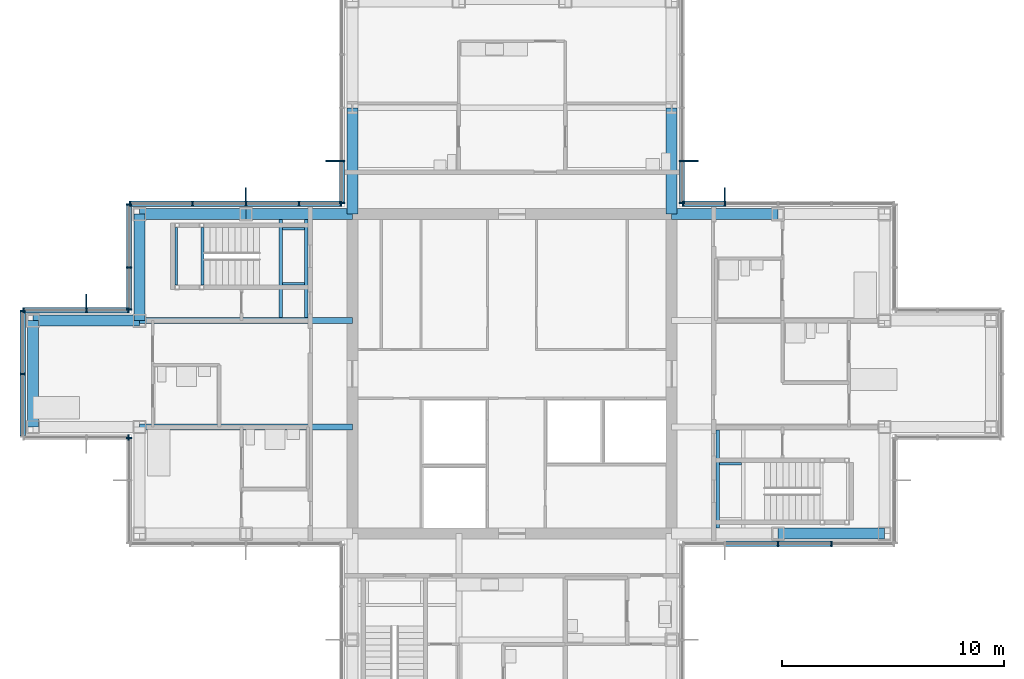
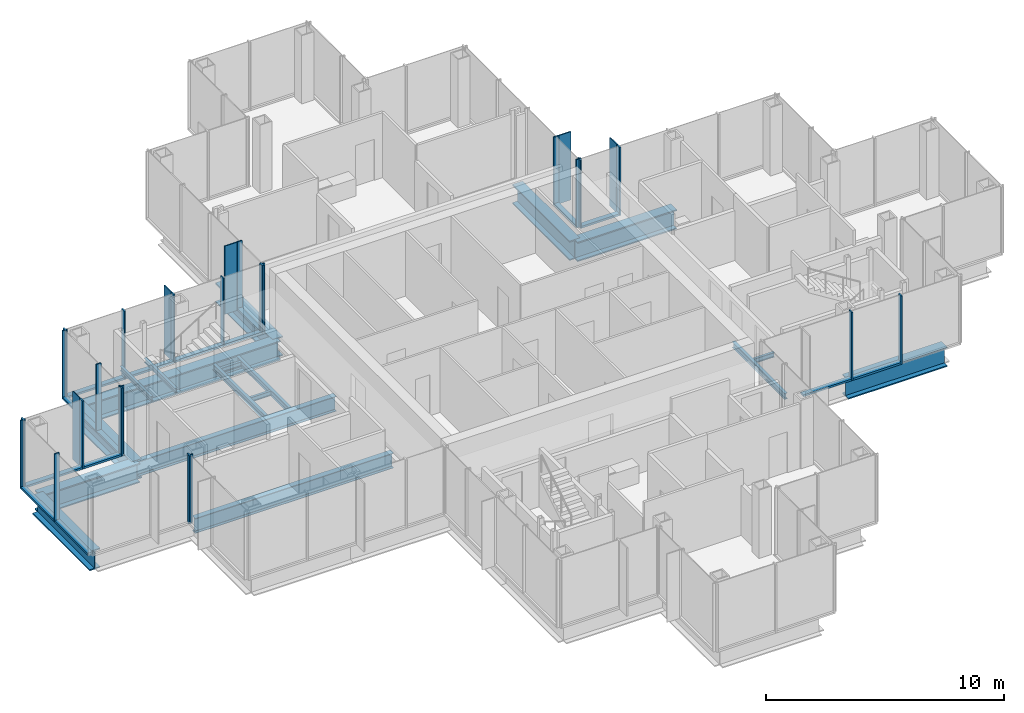
# One storey, part 7 of 17: 43 members, 19 beams, 10 elements without a shape of their own.
"""IFC4 building model written with IfcOpenShell, lengths in metres."""

from ifc_helpers import new_model, si_unit, direction, frame, origin, origin_2d, place, context, subcontext, project, spatial, rectangle, i_section, extrude, material, material_profile, profile_set, type_object, element, aggregate, save


model = new_model("IFC4")

# Units and contexts
model_context = context("Model", 3, precision=1e-05, world=origin(), true_north=direction((0.0, 1.0)))
body_context = subcontext(model_context, "Body", "Model", "MODEL_VIEW")
ifc_project = project(units=[si_unit("LENGTHUNIT", "METRE"), si_unit("AREAUNIT", "SQUARE_METRE"), si_unit("VOLUMEUNIT", "CUBIC_METRE"), si_unit("PLANEANGLEUNIT", "RADIAN"), si_unit("MASSUNIT", "GRAM", prefix="KILO")], contexts=[model_context])

# Site, building, storey
site_placement = place(None, origin())
site = spatial("IfcSite", under=ifc_project, at=site_placement, CompositionType="ELEMENT")
building_placement = place(site_placement, origin())
building = spatial("IfcBuilding", under=site, at=building_placement, Name="Kvirike Care Tower", CompositionType="ELEMENT")
storey_placement = place(building_placement, frame((0.0, 0.0, 162.0)))
storey = spatial("IfcBuildingStorey", under=building, at=storey_placement, Name="L44", CompositionType="ELEMENT", Elevation=162.0)

# Curtain wall, member
ifc_material_1 = material(Name="Anodised aluminium stick system", Category="aluminium")
curtain_wall_type = type_object("IfcCurtainWallType", Name="CW-C STICK CURTAIN WALL", PredefinedType="NOTDEFINED", material=ifc_material_1)
curtain_wall_1_placement = place(storey_placement, origin())
curtain_wall_1 = element("IfcCurtainWall", 1, at=curtain_wall_1_placement, inside=storey, type_object=curtain_wall_type, Name="Curtain wall L44 face 7", PredefinedType="NOTDEFINED")
ifc_material_2 = material(Name="Bronze anodised aluminium fin", Category="aluminium")
ifc_material_profile_1 = material_profile(ifc_material_2, rectangle(XDim=0.050048828125, YDim=0.60009765625, at=origin_2d()), Name="BRONZE FIN 600")
ifc_profile_set_1 = profile_set([ifc_material_profile_1], Name="Bronze anodised aluminium fin")
member_type_1 = type_object("IfcMemberType", Name="BRONZE FIN 600", PredefinedType="USERDEFINED", material=ifc_profile_set_1)
member_1_placement = place(storey_placement, frame((31.199951171875, 44.090087890625, 0.0), z_axis=(0.0, 0.0, 1.0), x_axis=(-1.0, 0.0, 0.0)))
member_1 = element("IfcMember", 2, at=member_1_placement, type_object=member_type_1, Name="Bronze fin L44 face 7.4", ObjectType="FIN", PredefinedType="USERDEFINED", context=body_context, shape_type="SweptSolid", body=[
    extrude(rectangle(XDim=0.050048828125, YDim=0.60009765625, at=origin_2d()), origin(), (0.0, 0.0, 1.0), 3.5),
])

curtain_wall_2_placement = place(storey_placement, origin())
curtain_wall_2 = element("IfcCurtainWall", 3, at=curtain_wall_2_placement, inside=storey, type_object=curtain_wall_type, Name="Curtain wall L44 face 8", PredefinedType="NOTDEFINED")
member_2_placement = place(storey_placement, frame((29.68994140625, 45.60009765625, 0.0), z_axis=(0.0, 0.0, 1.0), x_axis=(0.0, 1.0, 0.0)))
member_2 = element("IfcMember", 4, at=member_2_placement, type_object=member_type_1, Name="Bronze fin L44 face 8.2", ObjectType="FIN", PredefinedType="USERDEFINED", context=body_context, shape_type="SweptSolid", body=[
    extrude(rectangle(XDim=0.050048828125, YDim=0.60009765625, at=origin_2d()), origin(), (0.0, 0.0, 1.0), 3.5),
])

curtain_wall_3_placement = place(storey_placement, origin())
curtain_wall_3 = element("IfcCurtainWall", 5, at=curtain_wall_3_placement, inside=storey, type_object=curtain_wall_type, Name="Curtain wall L44 face 14", PredefinedType="NOTDEFINED")
member_3_placement = place(storey_placement, frame((13.510009765625, 45.60009765625, 0.0), z_axis=(0.0, 0.0, 1.0), x_axis=(0.0, -1.0, 0.0)))
member_3 = element("IfcMember", 6, at=member_3_placement, type_object=member_type_1, Name="Bronze fin L44 face 14.4", ObjectType="FIN", PredefinedType="USERDEFINED", context=body_context, shape_type="SweptSolid", body=[
    extrude(rectangle(XDim=0.050048828125, YDim=0.60009765625, at=origin_2d()), origin(), (0.0, 0.0, 1.0), 3.5),
])

curtain_wall_4_placement = place(storey_placement, origin())
curtain_wall_4 = element("IfcCurtainWall", 7, at=curtain_wall_4_placement, inside=storey, type_object=curtain_wall_type, Name="Curtain wall L44 face 15", PredefinedType="NOTDEFINED")
member_4_placement = place(storey_placement, frame((9.60009765625, 44.090087890625, 0.0), z_axis=(0.0, 0.0, 1.0), x_axis=(-1.0, 0.0, 0.0)))
member_4 = element("IfcMember", 8, at=member_4_placement, type_object=member_type_1, Name="Bronze fin L44 face 15.3", ObjectType="FIN", PredefinedType="USERDEFINED", context=body_context, shape_type="SweptSolid", body=[
    extrude(rectangle(XDim=0.050048828125, YDim=0.60009765625, at=origin_2d()), origin(), (0.0, 0.0, 1.0), 3.5),
])

curtain_wall_5_placement = place(storey_placement, origin())
curtain_wall_5 = element("IfcCurtainWall", 9, at=curtain_wall_5_placement, inside=storey, type_object=curtain_wall_type, Name="Curtain wall L44 face 17", PredefinedType="NOTDEFINED")
member_5_placement = place(storey_placement, frame((2.39990234375, 39.2900390625, 0.0), z_axis=(0.0, 0.0, 1.0), x_axis=(-1.0, 0.0, 0.0)))
member_5 = element("IfcMember", 10, at=member_5_placement, type_object=member_type_1, Name="Bronze fin L44 face 17.2", ObjectType="FIN", PredefinedType="USERDEFINED", context=body_context, shape_type="SweptSolid", body=[
    extrude(rectangle(XDim=0.050048828125, YDim=0.60009765625, at=origin_2d()), origin(), (0.0, 0.0, 1.0), 3.5),
])

# Curtain wall, members
curtain_wall_6_placement = place(storey_placement, origin())
curtain_wall_6 = element("IfcCurtainWall", 11, at=curtain_wall_6_placement, inside=storey, type_object=curtain_wall_type, Name="Curtain wall L44 face 1", PredefinedType="NOTDEFINED")
ifc_material_3 = material(Name="Bronze anodised aluminium mullion", Category="aluminium")
ifc_material_profile_2 = material_profile(ifc_material_3, rectangle(XDim=0.06494140625, YDim=0.239990234375, at=origin_2d()), Name="CW-C MULLION 65x240")
ifc_profile_set_2 = profile_set([ifc_material_profile_2], Name="Bronze anodised aluminium mullion")
member_type_2 = type_object("IfcMemberType", Name="CW-C MULLION 65x240", PredefinedType="MULLION", material=ifc_profile_set_2)
member_6_placement = place(storey_placement, frame((33.60009765625, 28.330078125, 0.0), z_axis=(0.0, 0.0, 1.0), x_axis=(1.0, 0.0, 0.0)))
member_6 = element("IfcMember", 12, at=member_6_placement, type_object=member_type_2, Name="CW-C mullion L44 face 1.3", PredefinedType="MULLION", context=body_context, shape_type="SweptSolid", body=[
    extrude(rectangle(XDim=0.06494140625, YDim=0.239990234375, at=origin_2d()), origin(), (0.0, 0.0, 1.0), 3.5),
])
member_7_placement = place(storey_placement, frame((36.0, 28.330078125, 0.0), z_axis=(0.0, 0.0, 1.0), x_axis=(1.0, 0.0, 0.0)))
member_7 = element("IfcMember", 13, at=member_7_placement, type_object=member_type_2, Name="CW-C mullion L44 face 1.4", PredefinedType="MULLION", context=body_context, shape_type="SweptSolid", body=[
    extrude(rectangle(XDim=0.06494140625, YDim=0.239990234375, at=origin_2d()), origin(), (0.0, 0.0, 1.0), 3.5),
])

# Member
member_8_placement = place(storey_placement, frame((31.199951171875, 43.669921875, 0.0), z_axis=(0.0, 0.0, 1.0), x_axis=(-1.0, 0.0, 0.0)))
member_8 = element("IfcMember", 14, at=member_8_placement, type_object=member_type_2, Name="CW-C mullion L44 face 7.4", PredefinedType="MULLION", context=body_context, shape_type="SweptSolid", body=[
    extrude(rectangle(XDim=0.06494140625, YDim=0.239990234375, at=origin_2d()), origin(), (0.0, 0.0, 1.0), 3.5),
])

member_9_placement = place(storey_placement, frame((29.302490234375, 43.669921875, 0.0), z_axis=(0.0, 0.0, 1.0), x_axis=(-1.0, 0.0, 0.0)))
member_9 = element("IfcMember", 15, at=member_9_placement, type_object=member_type_2, Name="CW-C mullion L44 face 7.5", PredefinedType="MULLION", context=body_context, shape_type="SweptSolid", body=[
    extrude(rectangle(XDim=0.06494140625, YDim=0.239990234375, at=origin_2d()), origin(), (0.0, 0.0, 1.0), 3.5),
])

member_10_placement = place(storey_placement, frame((29.27001953125, 43.702392578125, 0.0), z_axis=(0.0, 0.0, 1.0), x_axis=(0.0, 1.0, 0.0)))
member_10 = element("IfcMember", 16, at=member_10_placement, type_object=member_type_2, Name="CW-C mullion L44 face 8.1", PredefinedType="MULLION", context=body_context, shape_type="SweptSolid", body=[
    extrude(rectangle(XDim=0.06494140625, YDim=0.239990234375, at=origin_2d()), origin(), (0.0, 0.0, 1.0), 3.5),
])

member_11_placement = place(storey_placement, frame((29.27001953125, 45.60009765625, 0.0), z_axis=(0.0, 0.0, 1.0), x_axis=(0.0, 1.0, 0.0)))
member_11 = element("IfcMember", 17, at=member_11_placement, type_object=member_type_2, Name="CW-C mullion L44 face 8.2", PredefinedType="MULLION", context=body_context, shape_type="SweptSolid", body=[
    extrude(rectangle(XDim=0.06494140625, YDim=0.239990234375, at=origin_2d()), origin(), (0.0, 0.0, 1.0), 3.5),
])

member_12_placement = place(storey_placement, frame((13.929931640625, 45.60009765625, 0.0), z_axis=(0.0, 0.0, 1.0), x_axis=(0.0, -1.0, 0.0)))
member_12 = element("IfcMember", 18, at=member_12_placement, type_object=member_type_2, Name="CW-C mullion L44 face 14.4", PredefinedType="MULLION", context=body_context, shape_type="SweptSolid", body=[
    extrude(rectangle(XDim=0.06494140625, YDim=0.239990234375, at=origin_2d()), origin(), (0.0, 0.0, 1.0), 3.5),
])

member_13_placement = place(storey_placement, frame((13.929931640625, 43.702392578125, 0.0), z_axis=(0.0, 0.0, 1.0), x_axis=(0.0, -1.0, 0.0)))
member_13 = element("IfcMember", 19, at=member_13_placement, type_object=member_type_2, Name="CW-C mullion L44 face 14.5", PredefinedType="MULLION", context=body_context, shape_type="SweptSolid", body=[
    extrude(rectangle(XDim=0.06494140625, YDim=0.239990234375, at=origin_2d()), origin(), (0.0, 0.0, 1.0), 3.5),
])

member_14_placement = place(storey_placement, frame((13.8974609375, 43.669921875, 0.0), z_axis=(0.0, 0.0, 1.0), x_axis=(-1.0, 0.0, 0.0)))
member_14 = element("IfcMember", 20, at=member_14_placement, type_object=member_type_2, Name="CW-C mullion L44 face 15.1", PredefinedType="MULLION", context=body_context, shape_type="SweptSolid", body=[
    extrude(rectangle(XDim=0.06494140625, YDim=0.239990234375, at=origin_2d()), origin(), (0.0, 0.0, 1.0), 3.5),
])

member_15_placement = place(storey_placement, frame((12.0, 43.669921875, 0.0), z_axis=(0.0, 0.0, 1.0), x_axis=(-1.0, 0.0, 0.0)))
member_15 = element("IfcMember", 21, at=member_15_placement, type_object=member_type_2, Name="CW-C mullion L44 face 15.2", PredefinedType="MULLION", context=body_context, shape_type="SweptSolid", body=[
    extrude(rectangle(XDim=0.06494140625, YDim=0.239990234375, at=origin_2d()), origin(), (0.0, 0.0, 1.0), 3.5),
])

member_16_placement = place(storey_placement, frame((9.60009765625, 43.669921875, 0.0), z_axis=(0.0, 0.0, 1.0), x_axis=(-1.0, 0.0, 0.0)))
member_16 = element("IfcMember", 22, at=member_16_placement, type_object=member_type_2, Name="CW-C mullion L44 face 15.3", PredefinedType="MULLION", context=body_context, shape_type="SweptSolid", body=[
    extrude(rectangle(XDim=0.06494140625, YDim=0.239990234375, at=origin_2d()), origin(), (0.0, 0.0, 1.0), 3.5),
])

member_17_placement = place(storey_placement, frame((7.199951171875, 43.669921875, 0.0), z_axis=(0.0, 0.0, 1.0), x_axis=(-1.0, 0.0, 0.0)))
member_17 = element("IfcMember", 23, at=member_17_placement, type_object=member_type_2, Name="CW-C mullion L44 face 15.4", PredefinedType="MULLION", context=body_context, shape_type="SweptSolid", body=[
    extrude(rectangle(XDim=0.06494140625, YDim=0.239990234375, at=origin_2d()), origin(), (0.0, 0.0, 1.0), 3.5),
])

member_18_placement = place(storey_placement, frame((4.362548828125, 43.669921875, 0.0), z_axis=(0.0, 0.0, 1.0), x_axis=(-1.0, 0.0, 0.0)))
member_18 = element("IfcMember", 24, at=member_18_placement, type_object=member_type_2, Name="CW-C mullion L44 face 15.5", PredefinedType="MULLION", context=body_context, shape_type="SweptSolid", body=[
    extrude(rectangle(XDim=0.06494140625, YDim=0.239990234375, at=origin_2d()), origin(), (0.0, 0.0, 1.0), 3.5),
])

# Curtain wall, members
curtain_wall_7_placement = place(storey_placement, origin())
curtain_wall_7 = element("IfcCurtainWall", 25, at=curtain_wall_7_placement, inside=storey, type_object=curtain_wall_type, Name="Curtain wall L44 face 16", PredefinedType="NOTDEFINED")
member_19_placement = place(storey_placement, frame((4.330078125, 43.637451171875, 0.0), z_axis=(0.0, 0.0, 1.0), x_axis=(0.0, -1.0, 0.0)))
member_19 = element("IfcMember", 26, at=member_19_placement, type_object=member_type_2, Name="CW-C mullion L44 face 16.1", PredefinedType="MULLION", context=body_context, shape_type="SweptSolid", body=[
    extrude(rectangle(XDim=0.06494140625, YDim=0.239990234375, at=origin_2d()), origin(), (0.0, 0.0, 1.0), 3.5),
])
member_20_placement = place(storey_placement, frame((4.330078125, 40.800048828125, 0.0), z_axis=(0.0, 0.0, 1.0), x_axis=(0.0, -1.0, 0.0)))
member_20 = element("IfcMember", 27, at=member_20_placement, type_object=member_type_2, Name="CW-C mullion L44 face 16.2", PredefinedType="MULLION", context=body_context, shape_type="SweptSolid", body=[
    extrude(rectangle(XDim=0.06494140625, YDim=0.239990234375, at=origin_2d()), origin(), (0.0, 0.0, 1.0), 3.5),
])
member_21_placement = place(storey_placement, frame((4.330078125, 38.902587890625, 0.0), z_axis=(0.0, 0.0, 1.0), x_axis=(0.0, -1.0, 0.0)))
member_21 = element("IfcMember", 28, at=member_21_placement, type_object=member_type_2, Name="CW-C mullion L44 face 16.3", PredefinedType="MULLION", context=body_context, shape_type="SweptSolid", body=[
    extrude(rectangle(XDim=0.06494140625, YDim=0.239990234375, at=origin_2d()), origin(), (0.0, 0.0, 1.0), 3.5),
])

# Member
member_22_placement = place(storey_placement, frame((4.297607421875, 38.8701171875, 0.0), z_axis=(0.0, 0.0, 1.0), x_axis=(-1.0, 0.0, 0.0)))
member_22 = element("IfcMember", 29, at=member_22_placement, type_object=member_type_2, Name="CW-C mullion L44 face 17.1", PredefinedType="MULLION", context=body_context, shape_type="SweptSolid", body=[
    extrude(rectangle(XDim=0.06494140625, YDim=0.239990234375, at=origin_2d()), origin(), (0.0, 0.0, 1.0), 3.5),
])

member_23_placement = place(storey_placement, frame((2.39990234375, 38.8701171875, 0.0), z_axis=(0.0, 0.0, 1.0), x_axis=(-1.0, 0.0, 0.0)))
member_23 = element("IfcMember", 30, at=member_23_placement, type_object=member_type_2, Name="CW-C mullion L44 face 17.2", PredefinedType="MULLION", context=body_context, shape_type="SweptSolid", body=[
    extrude(rectangle(XDim=0.06494140625, YDim=0.239990234375, at=origin_2d()), origin(), (0.0, 0.0, 1.0), 3.5),
])

member_24_placement = place(storey_placement, frame((-0.4375, 38.8701171875, 0.0), z_axis=(0.0, 0.0, 1.0), x_axis=(-1.0, 0.0, 0.0)))
member_24 = element("IfcMember", 31, at=member_24_placement, type_object=member_type_2, Name="CW-C mullion L44 face 17.3", PredefinedType="MULLION", context=body_context, shape_type="SweptSolid", body=[
    extrude(rectangle(XDim=0.06494140625, YDim=0.239990234375, at=origin_2d()), origin(), (0.0, 0.0, 1.0), 3.5),
])

# Curtain wall, members
curtain_wall_8_placement = place(storey_placement, origin())
curtain_wall_8 = element("IfcCurtainWall", 32, at=curtain_wall_8_placement, inside=storey, type_object=curtain_wall_type, Name="Curtain wall L44 face 18", PredefinedType="NOTDEFINED")
member_25_placement = place(storey_placement, frame((-0.469970703125, 38.83740234375, 0.0), z_axis=(0.0, 0.0, 1.0), x_axis=(0.0, -1.0, 0.0)))
member_25 = element("IfcMember", 33, at=member_25_placement, type_object=member_type_2, Name="CW-C mullion L44 face 18.1", PredefinedType="MULLION", context=body_context, shape_type="SweptSolid", body=[
    extrude(rectangle(XDim=0.06494140625, YDim=0.239990234375, at=origin_2d()), origin(), (0.0, 0.0, 1.0), 3.5),
])
member_26_placement = place(storey_placement, frame((-0.469970703125, 36.0, 0.0), z_axis=(0.0, 0.0, 1.0), x_axis=(0.0, -1.0, 0.0)))
member_26 = element("IfcMember", 34, at=member_26_placement, type_object=member_type_2, Name="CW-C mullion L44 face 18.2", PredefinedType="MULLION", context=body_context, shape_type="SweptSolid", body=[
    extrude(rectangle(XDim=0.06494140625, YDim=0.239990234375, at=origin_2d()), origin(), (0.0, 0.0, 1.0), 3.5),
])

# Curtain wall, member
curtain_wall_9_placement = place(storey_placement, origin())
curtain_wall_9 = element("IfcCurtainWall", 35, at=curtain_wall_9_placement, inside=storey, type_object=curtain_wall_type, Name="Curtain wall L44 face 19", PredefinedType="NOTDEFINED")
member_27_placement = place(storey_placement, frame((4.297607421875, 33.1298828125, 0.0), z_axis=(0.0, 0.0, 1.0), x_axis=(1.0, 0.0, 0.0)))
member_27 = element("IfcMember", 36, at=member_27_placement, type_object=member_type_2, Name="CW-C mullion L44 face 19.3", PredefinedType="MULLION", context=body_context, shape_type="SweptSolid", body=[
    extrude(rectangle(XDim=0.06494140625, YDim=0.239990234375, at=origin_2d()), origin(), (0.0, 0.0, 1.0), 3.5),
])
aggregate(curtain_wall_9, [member_27])

curtain_wall_10_placement = place(storey_placement, origin())
curtain_wall_10 = element("IfcCurtainWall", 37, at=curtain_wall_10_placement, inside=storey, type_object=curtain_wall_type, Name="Curtain wall L44 face 20", PredefinedType="NOTDEFINED")
member_28_placement = place(storey_placement, frame((4.330078125, 33.097412109375, 0.0), z_axis=(0.0, 0.0, 1.0), x_axis=(0.0, -1.0, 0.0)))
member_28 = element("IfcMember", 38, at=member_28_placement, type_object=member_type_2, Name="CW-C mullion L44 face 20.1", PredefinedType="MULLION", context=body_context, shape_type="SweptSolid", body=[
    extrude(rectangle(XDim=0.06494140625, YDim=0.239990234375, at=origin_2d()), origin(), (0.0, 0.0, 1.0), 3.5),
])
aggregate(curtain_wall_10, [member_28])

# Member
ifc_material_4 = material(Name="Bronze anodised aluminium transom", Category="aluminium")
ifc_material_profile_3 = material_profile(ifc_material_4, rectangle(XDim=0.239990234375, YDim=0.10009765625, at=origin_2d()), Name="CW-C TRANSOM 240x100")
ifc_profile_set_3 = profile_set([ifc_material_profile_3], Name="Bronze anodised aluminium transom")
member_type_3 = type_object("IfcMemberType", Name="CW-C TRANSOM 240x100", PredefinedType="USERDEFINED", material=ifc_profile_set_3)
member_29_placement = place(storey_placement, frame((31.232421875, 28.330078125, 0.050048828125), z_axis=(1.0, 0.0, 0.0), x_axis=(0.0, 1.0, 0.0)))
member_29 = element("IfcMember", 39, at=member_29_placement, type_object=member_type_3, Name="CW-C sill transom L44 face 1.2", ObjectType="TRANSOM", PredefinedType="USERDEFINED", context=body_context, shape_type="SweptSolid", body=[
    extrude(rectangle(XDim=0.239990234375, YDim=0.10009765625, at=origin_2d()), origin(), (0.0, 0.0, 1.0), 2.3349609375),
])

member_30_placement = place(storey_placement, frame((33.632568359375, 28.330078125, 0.050048828125), z_axis=(1.0, 0.0, 0.0), x_axis=(0.0, 1.0, 0.0)))
member_30 = element("IfcMember", 40, at=member_30_placement, type_object=member_type_3, Name="CW-C sill transom L44 face 1.3", ObjectType="TRANSOM", PredefinedType="USERDEFINED", context=body_context, shape_type="SweptSolid", body=[
    extrude(rectangle(XDim=0.239990234375, YDim=0.10009765625, at=origin_2d()), origin(), (0.0, 0.0, 1.0), 2.3349609375),
])

aggregate(curtain_wall_6, [member_6, member_7, member_29, member_30])

member_31_placement = place(storey_placement, frame((31.16748046875, 43.669921875, 0.050048828125), z_axis=(-1.0, 0.0, 0.0), x_axis=(0.0, -1.0, 0.0)))
member_31 = element("IfcMember", 41, at=member_31_placement, type_object=member_type_3, Name="CW-C sill transom L44 face 7.4", ObjectType="TRANSOM", PredefinedType="USERDEFINED", context=body_context, shape_type="SweptSolid", body=[
    extrude(rectangle(XDim=0.239990234375, YDim=0.10009765625, at=origin_2d()), origin(), (0.0, 0.0, 1.0), 1.83251953125),
])

aggregate(curtain_wall_1, [member_8, member_1, member_9, member_31])

member_32_placement = place(storey_placement, frame((29.27001953125, 43.735107421875, 0.050048828125), z_axis=(0.0, 1.0, 0.0), x_axis=(-1.0, 0.0, 0.0)))
member_32 = element("IfcMember", 42, at=member_32_placement, type_object=member_type_3, Name="CW-C sill transom L44 face 8.1", ObjectType="TRANSOM", PredefinedType="USERDEFINED", context=body_context, shape_type="SweptSolid", body=[
    extrude(rectangle(XDim=0.239990234375, YDim=0.10009765625, at=origin_2d()), origin(), (0.0, 0.0, 1.0), 1.832275390625),
])

aggregate(curtain_wall_2, [member_10, member_11, member_2, member_32])

member_33_placement = place(storey_placement, frame((13.929931640625, 45.5673828125, 0.050048828125), z_axis=(0.0, -1.0, 0.0), x_axis=(1.0, 0.0, 0.0)))
member_33 = element("IfcMember", 43, at=member_33_placement, type_object=member_type_3, Name="CW-C sill transom L44 face 14.4", ObjectType="TRANSOM", PredefinedType="USERDEFINED", context=body_context, shape_type="SweptSolid", body=[
    extrude(rectangle(XDim=0.239990234375, YDim=0.10009765625, at=origin_2d()), origin(), (0.0, 0.0, 1.0), 1.832275390625),
])

aggregate(curtain_wall_3, [member_12, member_3, member_13, member_33])

member_34_placement = place(storey_placement, frame((13.864990234375, 43.669921875, 0.050048828125), z_axis=(-1.0, 0.0, 0.0), x_axis=(0.0, -1.0, 0.0)))
member_34 = element("IfcMember", 44, at=member_34_placement, type_object=member_type_3, Name="CW-C sill transom L44 face 15.1", ObjectType="TRANSOM", PredefinedType="USERDEFINED", context=body_context, shape_type="SweptSolid", body=[
    extrude(rectangle(XDim=0.239990234375, YDim=0.10009765625, at=origin_2d()), origin(), (0.0, 0.0, 1.0), 1.83251953125),
])

member_35_placement = place(storey_placement, frame((11.967529296875, 43.669921875, 0.050048828125), z_axis=(-1.0, 0.0, 0.0), x_axis=(0.0, -1.0, 0.0)))
member_35 = element("IfcMember", 45, at=member_35_placement, type_object=member_type_3, Name="CW-C sill transom L44 face 15.2", ObjectType="TRANSOM", PredefinedType="USERDEFINED", context=body_context, shape_type="SweptSolid", body=[
    extrude(rectangle(XDim=0.239990234375, YDim=0.10009765625, at=origin_2d()), origin(), (0.0, 0.0, 1.0), 2.3349609375),
])

member_36_placement = place(storey_placement, frame((9.5673828125, 43.669921875, 0.050048828125), z_axis=(-1.0, 0.0, 0.0), x_axis=(0.0, -1.0, 0.0)))
member_36 = element("IfcMember", 46, at=member_36_placement, type_object=member_type_3, Name="CW-C sill transom L44 face 15.3", ObjectType="TRANSOM", PredefinedType="USERDEFINED", context=body_context, shape_type="SweptSolid", body=[
    extrude(rectangle(XDim=0.239990234375, YDim=0.10009765625, at=origin_2d()), origin(), (0.0, 0.0, 1.0), 2.3349609375),
])

member_37_placement = place(storey_placement, frame((7.16748046875, 43.669921875, 0.050048828125), z_axis=(-1.0, 0.0, 0.0), x_axis=(0.0, -1.0, 0.0)))
member_37 = element("IfcMember", 47, at=member_37_placement, type_object=member_type_3, Name="CW-C sill transom L44 face 15.4", ObjectType="TRANSOM", PredefinedType="USERDEFINED", context=body_context, shape_type="SweptSolid", body=[
    extrude(rectangle(XDim=0.239990234375, YDim=0.10009765625, at=origin_2d()), origin(), (0.0, 0.0, 1.0), 2.7724609375),
])

aggregate(curtain_wall_4, [member_14, member_15, member_16, member_4, member_17, member_18, member_34, member_35, member_36, member_37])

member_38_placement = place(storey_placement, frame((4.330078125, 43.60498046875, 0.050048828125), z_axis=(0.0, -1.0, 0.0), x_axis=(1.0, 0.0, 0.0)))
member_38 = element("IfcMember", 48, at=member_38_placement, type_object=member_type_3, Name="CW-C sill transom L44 face 16.1", ObjectType="TRANSOM", PredefinedType="USERDEFINED", context=body_context, shape_type="SweptSolid", body=[
    extrude(rectangle(XDim=0.239990234375, YDim=0.10009765625, at=origin_2d()), origin(), (0.0, 0.0, 1.0), 2.7724609375),
])

member_39_placement = place(storey_placement, frame((4.330078125, 40.767578125, 0.050048828125), z_axis=(0.0, -1.0, 0.0), x_axis=(1.0, 0.0, 0.0)))
member_39 = element("IfcMember", 49, at=member_39_placement, type_object=member_type_3, Name="CW-C sill transom L44 face 16.2", ObjectType="TRANSOM", PredefinedType="USERDEFINED", context=body_context, shape_type="SweptSolid", body=[
    extrude(rectangle(XDim=0.239990234375, YDim=0.10009765625, at=origin_2d()), origin(), (0.0, 0.0, 1.0), 1.83251953125),
])

aggregate(curtain_wall_7, [member_19, member_20, member_21, member_38, member_39])

member_40_placement = place(storey_placement, frame((4.264892578125, 38.8701171875, 0.050048828125), z_axis=(-1.0, 0.0, 0.0), x_axis=(0.0, -1.0, 0.0)))
member_40 = element("IfcMember", 50, at=member_40_placement, type_object=member_type_3, Name="CW-C sill transom L44 face 17.1", ObjectType="TRANSOM", PredefinedType="USERDEFINED", context=body_context, shape_type="SweptSolid", body=[
    extrude(rectangle(XDim=0.239990234375, YDim=0.10009765625, at=origin_2d()), origin(), (0.0, 0.0, 1.0), 1.832275390625),
])

member_41_placement = place(storey_placement, frame((2.367431640625, 38.8701171875, 0.050048828125), z_axis=(-1.0, 0.0, 0.0), x_axis=(0.0, -1.0, 0.0)))
member_41 = element("IfcMember", 51, at=member_41_placement, type_object=member_type_3, Name="CW-C sill transom L44 face 17.2", ObjectType="TRANSOM", PredefinedType="USERDEFINED", context=body_context, shape_type="SweptSolid", body=[
    extrude(rectangle(XDim=0.239990234375, YDim=0.10009765625, at=origin_2d()), origin(), (0.0, 0.0, 1.0), 2.7724609375),
])

aggregate(curtain_wall_5, [member_22, member_23, member_5, member_24, member_40, member_41])

member_42_placement = place(storey_placement, frame((-0.469970703125, 38.804931640625, 0.050048828125), z_axis=(0.0, -1.0, 0.0), x_axis=(1.0, 0.0, 0.0)))
member_42 = element("IfcMember", 52, at=member_42_placement, type_object=member_type_3, Name="CW-C sill transom L44 face 18.1", ObjectType="TRANSOM", PredefinedType="USERDEFINED", context=body_context, shape_type="SweptSolid", body=[
    extrude(rectangle(XDim=0.239990234375, YDim=0.10009765625, at=origin_2d()), origin(), (0.0, 0.0, 1.0), 2.7724609375),
])

member_43_placement = place(storey_placement, frame((-0.469970703125, 35.967529296875, 0.050048828125), z_axis=(0.0, -1.0, 0.0), x_axis=(1.0, 0.0, 0.0)))
member_43 = element("IfcMember", 53, at=member_43_placement, type_object=member_type_3, Name="CW-C sill transom L44 face 18.2", ObjectType="TRANSOM", PredefinedType="USERDEFINED", context=body_context, shape_type="SweptSolid", body=[
    extrude(rectangle(XDim=0.239990234375, YDim=0.10009765625, at=origin_2d()), origin(), (0.0, 0.0, 1.0), 2.7724609375),
])

aggregate(curtain_wall_8, [member_25, member_26, member_42, member_43])

# Beams
ifc_material_5 = material(Name="Steel S355", Category="steel")
ifc_material_profile_4 = material_profile(ifc_material_5, i_section(OverallWidth=0.26806640625, OverallDepth=0.77001953125, WebThickness=0.015625, FlangeThickness=0.025390625, FilletRadius=0.01708984375, at=origin_2d()), Name="IPE 750x196")
ifc_profile_set_4 = profile_set([ifc_material_profile_4], Name="Steel S355")
beam_type_1 = type_object("IfcBeamType", Name="FLOOR BEAM IPE 750x196", PredefinedType="BEAM", material=ifc_profile_set_4)
for number, where, z_axis, x_axis, name in (
    (54, (4.800048828125, 33.60009765625, -0.554931640625), (1.0, 0.0, 0.0), (0.0, 1.0, 0.0), "Floor Beam H4-H6 L44"),
    (55, (4.800048828125, 38.39990234375, -0.554931640625), (1.0, 0.0, 0.0), (0.0, 1.0, 0.0), "Floor Beam J4-J6 L44"),
):
    element("IfcBeam", number, at=place(storey_placement, frame(where, z_axis=z_axis, x_axis=x_axis)), inside=storey, type_object=beam_type_1, Name=name, PredefinedType="BEAM", context=body_context, shape_type="SweptSolid", body=[
        extrude(i_section(OverallWidth=0.26806640625, OverallDepth=0.77001953125, WebThickness=0.015625, FlangeThickness=0.025390625, FilletRadius=0.01708984375, at=origin_2d()), origin(), (0.0, 0.0, 1.0), 9.599853515625),
    ])
ifc_material_6 = material(Name="Steel S355", Category="steel")
ifc_material_profile_5 = material_profile(ifc_material_6, i_section(OverallWidth=0.5, OverallDepth=1.0, WebThickness=0.030029296875, FlangeThickness=0.06005859375, at=origin_2d()), Name="PG 1000x500x30x60")
ifc_profile_set_5 = profile_set([ifc_material_profile_5], Name="Steel S355")
beam_type_2 = type_object("IfcBeamType", Name="SPANDREL PG 1000x500x30x60", PredefinedType="SPANDREL", material=ifc_profile_set_5)
beam_1_placement = place(storey_placement, frame((33.60009765625, 28.800048828125, -0.669921875), z_axis=(1.0, 0.0, 0.0), x_axis=(0.0, 1.0, 0.0)))
element("IfcBeam", 56, at=beam_1_placement, inside=storey, type_object=beam_type_2, Name="Spandrel G10-G11 L44", PredefinedType="SPANDREL", context=body_context, shape_type="SweptSolid", body=[
    extrude(i_section(OverallWidth=0.5, OverallDepth=1.0, WebThickness=0.030029296875, FlangeThickness=0.06005859375, at=origin_2d()), origin(), (0.0, 0.0, 1.0), 4.7998046875),
])
for number, where, z_axis, x_axis, name in (
    (57, (0.0, 38.39990234375, -0.669921875), (1.0, 0.0, 0.0), (0.0, 1.0, 0.0), "Spandrel J3-J4 L44"),
    (58, (4.800048828125, 43.199951171875, -0.669921875), (1.0, 0.0, 0.0), (0.0, 1.0, 0.0), "Spandrel K4-K5 L44"),
):
    element("IfcBeam", number, at=place(storey_placement, frame(where, z_axis=z_axis, x_axis=x_axis)), inside=storey, type_object=beam_type_2, Name=name, PredefinedType="SPANDREL", context=body_context, shape_type="SweptSolid", body=[
        extrude(i_section(OverallWidth=0.5, OverallDepth=1.0, WebThickness=0.030029296875, FlangeThickness=0.06005859375, at=origin_2d()), origin(), (0.0, 0.0, 1.0), 4.800048828125),
    ])
beam_2_placement = place(storey_placement, frame((9.60009765625, 43.199951171875, -0.669921875), z_axis=(1.0, 0.0, 0.0), x_axis=(0.0, 1.0, 0.0)))
element("IfcBeam", 59, at=beam_2_placement, inside=storey, type_object=beam_type_2, Name="Spandrel K5-K6 L44", PredefinedType="SPANDREL", context=body_context, shape_type="SweptSolid", body=[
    extrude(i_section(OverallWidth=0.5, OverallDepth=1.0, WebThickness=0.030029296875, FlangeThickness=0.06005859375, at=origin_2d()), origin(), (0.0, 0.0, 1.0), 4.7998046875),
])
beam_3_placement = place(storey_placement, frame((28.800048828125, 43.199951171875, -0.669921875), z_axis=(1.0, 0.0, 0.0), x_axis=(0.0, 1.0, 0.0)))
element("IfcBeam", 60, at=beam_3_placement, inside=storey, type_object=beam_type_2, Name="Spandrel K9-K10 L44", PredefinedType="SPANDREL", context=body_context, shape_type="SweptSolid", body=[
    extrude(i_section(OverallWidth=0.5, OverallDepth=1.0, WebThickness=0.030029296875, FlangeThickness=0.06005859375, at=origin_2d()), origin(), (0.0, 0.0, 1.0), 4.800048828125),
])
beam_4_placement = place(storey_placement, frame((0.0, 33.60009765625, -0.669921875), z_axis=(0.0, 1.0, 0.0), x_axis=(-1.0, 0.0, 0.0)))
element("IfcBeam", 61, at=beam_4_placement, inside=storey, type_object=beam_type_2, Name="Spandrel H3-J3 L44", PredefinedType="SPANDREL", context=body_context, shape_type="SweptSolid", body=[
    extrude(i_section(OverallWidth=0.5, OverallDepth=1.0, WebThickness=0.030029296875, FlangeThickness=0.06005859375, at=origin_2d()), origin(), (0.0, 0.0, 1.0), 4.7998046875),
])
for number, where, z_axis, x_axis, name in (
    (62, (4.800048828125, 38.39990234375, -0.669921875), (0.0, 1.0, 0.0), (-1.0, 0.0, 0.0), "Spandrel J4-K4 L44"),
    (63, (14.39990234375, 43.199951171875, -0.669921875), (0.0, 1.0, 0.0), (-1.0, 0.0, 0.0), "Spandrel K6-L6 L44"),
    (64, (28.800048828125, 43.199951171875, -0.669921875), (0.0, 1.0, 0.0), (-1.0, 0.0, 0.0), "Spandrel K9-L9 L44"),
):
    element("IfcBeam", number, at=place(storey_placement, frame(where, z_axis=z_axis, x_axis=x_axis)), inside=storey, type_object=beam_type_2, Name=name, PredefinedType="SPANDREL", context=body_context, shape_type="SweptSolid", body=[
        extrude(i_section(OverallWidth=0.5, OverallDepth=1.0, WebThickness=0.030029296875, FlangeThickness=0.06005859375, at=origin_2d()), origin(), (0.0, 0.0, 1.0), 4.800048828125),
    ])
ifc_material_7 = material(Name="Steel S355", Category="steel")
ifc_material_profile_6 = material_profile(ifc_material_7, i_section(OverallWidth=0.1201171875, OverallDepth=0.239990234375, WebThickness=0.006103515625, FlangeThickness=0.009765625, FilletRadius=0.014892578125, at=origin_2d()), Name="IPE 240")
ifc_profile_set_6 = profile_set([ifc_material_profile_6], Name="Steel S355")
beam_type_3 = type_object("IfcBeamType", Name="STAIR LANDING BEAM IPE 240", PredefinedType="BEAM", material=ifc_profile_set_6)
for number, where, z_axis, x_axis, name in (
    (65, (6.4599609375, 42.60009765625, 1.429931640625), (0.0, -1.0, 0.0), (1.0, 0.0, 0.0), "Stair 1 landing beam back L44"),
    (66, (7.639892578125, 42.60009765625, 1.429931640625), (0.0, -1.0, 0.0), (1.0, 0.0, 0.0), "Stair 1 landing beam front L44"),
):
    element("IfcBeam", number, at=place(storey_placement, frame(where, z_axis=z_axis, x_axis=x_axis)), inside=storey, type_object=beam_type_3, Name=name, PredefinedType="BEAM", context=body_context, shape_type="SweptSolid", body=[
        extrude(i_section(OverallWidth=0.1201171875, OverallDepth=0.239990234375, WebThickness=0.006103515625, FlangeThickness=0.009765625, FilletRadius=0.014892578125, at=origin_2d()), origin(), (0.0, 0.0, 1.0), 2.60009765625),
    ])
for number, where, z_axis, x_axis, name in (
    (67, (11.25, 42.5400390625, -0.320068359375), (1.0, 0.0, 0.0), (0.0, 1.0, 0.0), "Stair 1 landing edge beam 1 L44"),
    (68, (11.25, 40.06005859375, -0.320068359375), (1.0, 0.0, 0.0), (0.0, 1.0, 0.0), "Stair 1 landing edge beam 2 L44"),
    (69, (31.949951171875, 31.93994140625, -0.320068359375), (-1.0, 0.0, 0.0), (0.0, -1.0, 0.0), "Stair 2 landing edge beam 2 L44"),
):
    element("IfcBeam", number, at=place(storey_placement, frame(where, z_axis=z_axis, x_axis=x_axis)), inside=storey, type_object=beam_type_3, Name=name, PredefinedType="BEAM", context=body_context, shape_type="SweptSolid", body=[
        extrude(i_section(OverallWidth=0.1201171875, OverallDepth=0.239990234375, WebThickness=0.006103515625, FlangeThickness=0.009765625, FilletRadius=0.014892578125, at=origin_2d()), origin(), (0.0, 0.0, 1.0), 1.0),
    ])
ifc_material_8 = material(Name="Steel S355", Category="steel")
ifc_material_profile_7 = material_profile(ifc_material_8, i_section(OverallWidth=0.14990234375, OverallDepth=0.300048828125, WebThickness=0.007080078125, FlangeThickness=0.0107421875, FilletRadius=0.014892578125, at=origin_2d()), Name="IPE 300")
ifc_profile_set_7 = profile_set([ifc_material_profile_7], Name="Steel S355")
beam_type_4 = type_object("IfcBeamType", Name="STAIR TRIMMER IPE 300", PredefinedType="BEAM", material=ifc_profile_set_7)
for number, where, z_axis, x_axis, name in (
    (70, (11.175048828125, 42.949951171875, -0.35009765625), (0.0, -1.0, 0.0), (1.0, 0.0, 0.0), "Stair 1 trimmer 1 L44"),
    (71, (12.324951171875, 42.949951171875, -0.35009765625), (0.0, -1.0, 0.0), (1.0, 0.0, 0.0), "Stair 1 trimmer 2 L44"),
    (72, (30.875, 29.050048828125, -0.35009765625), (0.0, 1.0, 0.0), (-1.0, 0.0, 0.0), "Stair 2 trimmer 2 L44"),
):
    element("IfcBeam", number, at=place(storey_placement, frame(where, z_axis=z_axis, x_axis=x_axis)), inside=storey, type_object=beam_type_4, Name=name, PredefinedType="BEAM", context=body_context, shape_type="SweptSolid", body=[
        extrude(i_section(OverallWidth=0.14990234375, OverallDepth=0.300048828125, WebThickness=0.007080078125, FlangeThickness=0.0107421875, FilletRadius=0.014892578125, at=origin_2d()), origin(), (0.0, 0.0, 1.0), 4.416015625),
    ])

save(model, "model.ifc")
